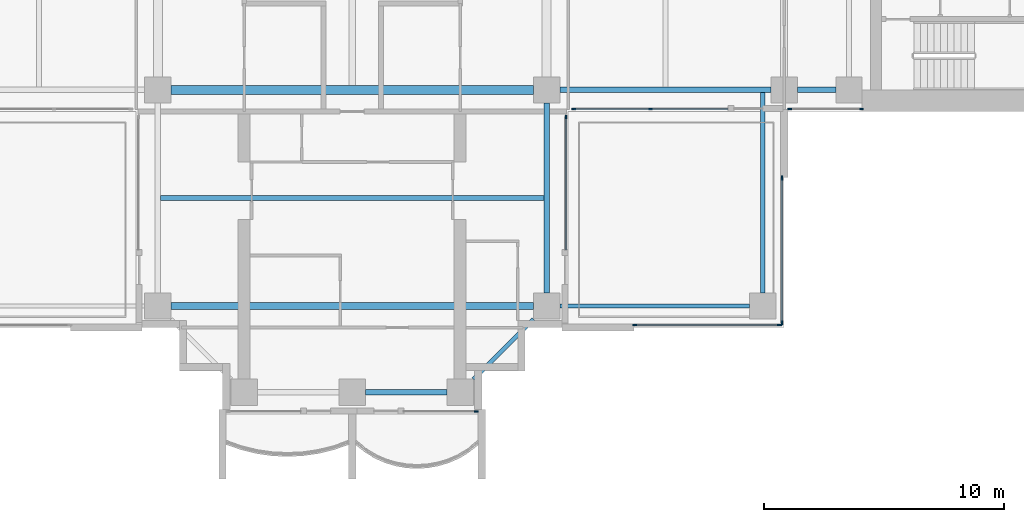
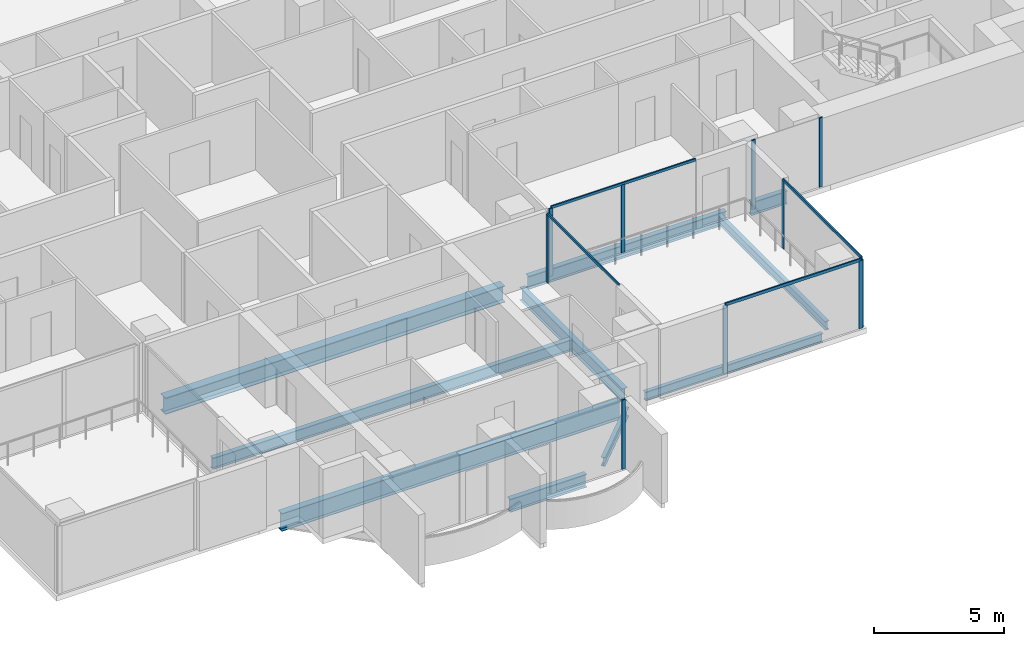
# One storey, part 3 of 18: 14 members, 10 beams, 6 elements without a shape of their own.
"""IFC4 building model written with IfcOpenShell, lengths in metres."""

from ifc_helpers import new_model, si_unit, direction, frame, origin, origin_2d, place, context, subcontext, project, spatial, rectangle, i_section, extrude, material, material_profile, profile_set, type_object, element, aggregate, save


model = new_model("IFC4")

# Units and contexts
model_context = context("Model", 3, precision=1e-05, world=origin(), true_north=direction((0.0, 1.0)))
body_context = subcontext(model_context, "Body", "Model", "MODEL_VIEW")
ifc_project = project(units=[si_unit("LENGTHUNIT", "METRE"), si_unit("AREAUNIT", "SQUARE_METRE"), si_unit("VOLUMEUNIT", "CUBIC_METRE"), si_unit("PLANEANGLEUNIT", "RADIAN"), si_unit("MASSUNIT", "GRAM", prefix="KILO")], contexts=[model_context])

# Site, building, storey
site_placement = place(None, origin())
site = spatial("IfcSite", under=ifc_project, at=site_placement, CompositionType="ELEMENT")
building_placement = place(site_placement, origin())
building = spatial("IfcBuilding", under=site, at=building_placement, Name="Perihelion Cross Residences", CompositionType="ELEMENT")
storey_placement = place(building_placement, frame((0.0, 0.0, 123.39990234375)))
storey = spatial("IfcBuildingStorey", under=building, at=storey_placement, Name="L29", CompositionType="ELEMENT", Elevation=123.39990234375)

# Curtain wall, member
ifc_material_1 = material(Name="Bronze anodised aluminium, tinted glazing", Category="aluminium")
curtain_wall_type_1 = type_object("IfcCurtainWallType", Name="CW1", PredefinedType="NOTDEFINED", material=ifc_material_1)
curtain_wall_1_placement = place(storey_placement, origin())
curtain_wall_1 = element("IfcCurtainWall", 1, at=curtain_wall_1_placement, inside=storey, type_object=curtain_wall_type_1, Name="Curtain wall CW1 L29 south tip south bay 2", PredefinedType="NOTDEFINED")
ifc_material_2 = material(Name="Bronze anodised aluminium", Category="aluminium")
ifc_material_profile_1 = material_profile(ifc_material_2, rectangle(XDim=0.06005859375, YDim=0.159912109375, at=origin_2d()), Name="CW1 mullion")
ifc_profile_set_1 = profile_set([ifc_material_profile_1], Name="Bronze anodised aluminium")
member_type_1 = type_object("IfcMemberType", Name="CW1 mullion", PredefinedType="MULLION", material=ifc_profile_set_1)
member_1_placement = place(storey_placement, frame((5.169921875, -21.5, 0.0), z_axis=(0.0, 0.0, 1.0), x_axis=(0.0, 1.0, 0.0)))
member_1 = element("IfcMember", 2, at=member_1_placement, type_object=member_type_1, Name="CW1 mullion 2", PredefinedType="MULLION", context=body_context, shape_type="SweptSolid", body=[
    extrude(rectangle(XDim=0.06005859375, YDim=0.159912109375, at=origin_2d()), origin(), (0.0, 0.0, 1.0), 3.25),
])
aggregate(curtain_wall_1, [member_1])

curtain_wall_2_placement = place(storey_placement, origin())
curtain_wall_2 = element("IfcCurtainWall", 3, at=curtain_wall_2_placement, inside=storey, type_object=curtain_wall_type_1, Name="Curtain wall CW1 L29 south side east bay 1", PredefinedType="NOTDEFINED")
member_2_placement = place(storey_placement, frame((8.89990234375, -9.22998046875, 0.0), z_axis=(0.0, 0.0, 1.0), x_axis=(-1.0, 0.0, 0.0)))
member_2 = element("IfcMember", 4, at=member_2_placement, type_object=member_type_1, Name="CW1 mullion 2", PredefinedType="MULLION", context=body_context, shape_type="SweptSolid", body=[
    extrude(rectangle(XDim=0.06005859375, YDim=0.159912109375, at=origin_2d()), origin(), (0.0, 0.0, 1.0), 3.190185546875),
])

# Curtain wall, members
curtain_wall_3_placement = place(storey_placement, origin())
curtain_wall_3 = element("IfcCurtainWall", 5, at=curtain_wall_3_placement, inside=storey, type_object=curtain_wall_type_1, Name="Curtain wall CW1 L29 east side south bay 1", PredefinedType="NOTDEFINED")
member_3_placement = place(storey_placement, frame((9.22998046875, -8.89990234375, 0.0), z_axis=(0.0, 0.0, 1.0), x_axis=(0.0, 1.0, 0.0)))
member_3 = element("IfcMember", 6, at=member_3_placement, type_object=member_type_1, Name="CW1 mullion 1", PredefinedType="MULLION", context=body_context, shape_type="SweptSolid", body=[
    extrude(rectangle(XDim=0.06005859375, YDim=0.159912109375, at=origin_2d()), origin(), (0.0, 0.0, 1.0), 3.190185546875),
])
member_4_placement = place(storey_placement, frame((12.425048828125, -8.89990234375, 0.0), z_axis=(0.0, 0.0, 1.0), x_axis=(0.0, 1.0, 0.0)))
member_4 = element("IfcMember", 7, at=member_4_placement, type_object=member_type_1, Name="CW1 mullion 2", PredefinedType="MULLION", context=body_context, shape_type="SweptSolid", body=[
    extrude(rectangle(XDim=0.06005859375, YDim=0.159912109375, at=origin_2d()), origin(), (0.0, 0.0, 1.0), 3.190185546875),
])

curtain_wall_4_placement = place(storey_placement, origin())
curtain_wall_4 = element("IfcCurtainWall", 8, at=curtain_wall_4_placement, inside=storey, type_object=curtain_wall_type_1, Name="Curtain wall CW1 L29 east side south bay 2", PredefinedType="NOTDEFINED")
member_5_placement = place(storey_placement, frame((18.22998046875, -8.89990234375, 0.0), z_axis=(0.0, 0.0, 1.0), x_axis=(0.0, 1.0, 0.0)))
member_5 = element("IfcMember", 9, at=member_5_placement, type_object=member_type_1, Name="CW1 mullion 1", PredefinedType="MULLION", context=body_context, shape_type="SweptSolid", body=[
    extrude(rectangle(XDim=0.06005859375, YDim=0.159912109375, at=origin_2d()), origin(), (0.0, 0.0, 1.0), 3.25),
])
member_6_placement = place(storey_placement, frame((21.219970703125, -8.89990234375, 0.0), z_axis=(0.0, 0.0, 1.0), x_axis=(0.0, 1.0, 0.0)))
member_6 = element("IfcMember", 10, at=member_6_placement, type_object=member_type_1, Name="CW1 mullion 2", PredefinedType="MULLION", context=body_context, shape_type="SweptSolid", body=[
    extrude(rectangle(XDim=0.06005859375, YDim=0.159912109375, at=origin_2d()), origin(), (0.0, 0.0, 1.0), 3.25),
])
aggregate(curtain_wall_4, [member_5, member_6])

# Member
ifc_material_3 = material(Name="Bronze anodised aluminium", Category="aluminium")
ifc_material_profile_2 = material_profile(ifc_material_3, rectangle(XDim=0.06005859375, YDim=0.1201171875, at=origin_2d()), Name="CW1 transom")
ifc_profile_set_2 = profile_set([ifc_material_profile_2], Name="Bronze anodised aluminium")
member_type_2 = type_object("IfcMemberType", Name="CW1 transom", PredefinedType="USERDEFINED", material=ifc_profile_set_2)
member_7_placement = place(storey_placement, frame((8.89990234375, -14.75, 3.22021484375), z_axis=(0.0, 1.0, 0.0), x_axis=(-1.0, 0.0, 0.0)))
member_7 = element("IfcMember", 11, at=member_7_placement, type_object=member_type_2, Name="CW1 head transom", ObjectType="TRANSOM", PredefinedType="USERDEFINED", context=body_context, shape_type="SweptSolid", body=[
    extrude(rectangle(XDim=0.06005859375, YDim=0.1201171875, at=origin_2d()), origin(), (0.0, 0.0, 1.0), 5.52001953125),
])

aggregate(curtain_wall_2, [member_2, member_7])

member_8_placement = place(storey_placement, frame((9.22998046875, -8.89990234375, 3.22021484375), z_axis=(1.0, 0.0, 0.0), x_axis=(0.0, 1.0, 0.0)))
member_8 = element("IfcMember", 12, at=member_8_placement, type_object=member_type_2, Name="CW1 head transom", ObjectType="TRANSOM", PredefinedType="USERDEFINED", context=body_context, shape_type="SweptSolid", body=[
    extrude(rectangle(XDim=0.06005859375, YDim=0.1201171875, at=origin_2d()), origin(), (0.0, 0.0, 1.0), 6.419921875),
])

aggregate(curtain_wall_3, [member_3, member_4, member_8])

# Curtain wall, members
ifc_material_4 = material(Name="Bronze anodised aluminium, tinted glazing", Category="aluminium")
curtain_wall_type_2 = type_object("IfcCurtainWallType", Name="CW4", PredefinedType="NOTDEFINED", material=ifc_material_4)
curtain_wall_5_placement = place(storey_placement, origin())
curtain_wall_5 = element("IfcCurtainWall", 13, at=curtain_wall_5_placement, inside=storey, type_object=curtain_wall_type_2, Name="Curtain wall CW4 L29 pocket south-east 1 1", PredefinedType="NOTDEFINED")
ifc_material_5 = material(Name="Bronze anodised aluminium", Category="aluminium")
ifc_material_profile_3 = material_profile(ifc_material_5, rectangle(XDim=0.06005859375, YDim=0.179931640625, at=origin_2d()), Name="CW4 mullion")
ifc_profile_set_3 = profile_set([ifc_material_profile_3], Name="Bronze anodised aluminium")
member_type_3 = type_object("IfcMemberType", Name="CW4 mullion", PredefinedType="MULLION", material=ifc_profile_set_3)
member_9_placement = place(storey_placement, frame((17.89990234375, -11.77001953125, 0.0), z_axis=(0.0, 0.0, 1.0), x_axis=(1.0, 0.0, 0.0)))
member_9 = element("IfcMember", 14, at=member_9_placement, type_object=member_type_3, Name="CW4 mullion 1", PredefinedType="MULLION", context=body_context, shape_type="SweptSolid", body=[
    extrude(rectangle(XDim=0.06005859375, YDim=0.179931640625, at=origin_2d()), origin(), (0.0, 0.0, 1.0), 3.190185546875),
])
member_10_placement = place(storey_placement, frame((17.89990234375, -17.800048828125, 0.0), z_axis=(0.0, 0.0, 1.0), x_axis=(1.0, 0.0, 0.0)))
member_10 = element("IfcMember", 15, at=member_10_placement, type_object=member_type_3, Name="CW4 mullion 2", PredefinedType="MULLION", context=body_context, shape_type="SweptSolid", body=[
    extrude(rectangle(XDim=0.06005859375, YDim=0.179931640625, at=origin_2d()), origin(), (0.0, 0.0, 1.0), 3.190185546875),
])

curtain_wall_6_placement = place(storey_placement, origin())
curtain_wall_6 = element("IfcCurtainWall", 16, at=curtain_wall_6_placement, inside=storey, type_object=curtain_wall_type_2, Name="Curtain wall CW4 L29 pocket south-east 1 2", PredefinedType="NOTDEFINED")
member_11_placement = place(storey_placement, frame((17.800048828125, -17.89990234375, 0.0), z_axis=(0.0, 0.0, 1.0), x_axis=(0.0, -1.0, 0.0)))
member_11 = element("IfcMember", 17, at=member_11_placement, type_object=member_type_3, Name="CW4 mullion 1", PredefinedType="MULLION", context=body_context, shape_type="SweptSolid", body=[
    extrude(rectangle(XDim=0.06005859375, YDim=0.179931640625, at=origin_2d()), origin(), (0.0, 0.0, 1.0), 3.190185546875),
])
member_12_placement = place(storey_placement, frame((11.77001953125, -17.89990234375, 0.0), z_axis=(0.0, 0.0, 1.0), x_axis=(0.0, -1.0, 0.0)))
member_12 = element("IfcMember", 18, at=member_12_placement, type_object=member_type_3, Name="CW4 mullion 2", PredefinedType="MULLION", context=body_context, shape_type="SweptSolid", body=[
    extrude(rectangle(XDim=0.06005859375, YDim=0.179931640625, at=origin_2d()), origin(), (0.0, 0.0, 1.0), 3.190185546875),
])

# Member
ifc_material_6 = material(Name="Bronze anodised aluminium", Category="aluminium")
ifc_material_profile_4 = material_profile(ifc_material_6, rectangle(XDim=0.06005859375, YDim=0.139892578125, at=origin_2d()), Name="CW4 transom")
ifc_profile_set_4 = profile_set([ifc_material_profile_4], Name="Bronze anodised aluminium")
member_type_4 = type_object("IfcMemberType", Name="CW4 transom", PredefinedType="USERDEFINED", material=ifc_profile_set_4)
member_13_placement = place(storey_placement, frame((17.89990234375, -11.77001953125, 3.22021484375), z_axis=(0.0, -1.0, 0.0), x_axis=(1.0, 0.0, 0.0)))
member_13 = element("IfcMember", 19, at=member_13_placement, type_object=member_type_4, Name="CW4 head transom", ObjectType="TRANSOM", PredefinedType="USERDEFINED", context=body_context, shape_type="SweptSolid", body=[
    extrude(rectangle(XDim=0.06005859375, YDim=0.139892578125, at=origin_2d()), origin(), (0.0, 0.0, 1.0), 6.030029296875),
])

aggregate(curtain_wall_5, [member_9, member_10, member_13])

member_14_placement = place(storey_placement, frame((17.800048828125, -17.89990234375, 3.22021484375), z_axis=(-1.0, 0.0, 0.0), x_axis=(0.0, -1.0, 0.0)))
member_14 = element("IfcMember", 20, at=member_14_placement, type_object=member_type_4, Name="CW4 head transom", ObjectType="TRANSOM", PredefinedType="USERDEFINED", context=body_context, shape_type="SweptSolid", body=[
    extrude(rectangle(XDim=0.06005859375, YDim=0.139892578125, at=origin_2d()), origin(), (0.0, 0.0, 1.0), 6.030029296875),
])

aggregate(curtain_wall_6, [member_11, member_12, member_14])

# Beams
ifc_material_7 = material(Name="Steel S355", Category="steel")
ifc_material_profile_5 = material_profile(ifc_material_7, i_section(OverallWidth=0.177978515625, OverallDepth=0.406005859375, WebThickness=0.0078125, FlangeThickness=0.0126953125, at=origin_2d()), Name="W410x60")
ifc_profile_set_5 = profile_set([ifc_material_profile_5], Name="Steel S355")
beam_type_1 = type_object("IfcBeamType", Name="Core edge beam W410x60", PredefinedType="BEAM", material=ifc_profile_set_5)
beam_1_placement = place(storey_placement, frame((17.10009765625, -8.214599609375, -0.452880859375), z_axis=(0.0, -1.0, 0.0), x_axis=(1.0, 0.0, 0.0)))
element("IfcBeam", 21, at=beam_1_placement, inside=storey, type_object=beam_type_1, Name="Core edge beam TB2 L29 corner no. 5", PredefinedType="BEAM", context=body_context, shape_type="SweptSolid", body=[
    extrude(i_section(OverallWidth=0.177978515625, OverallDepth=0.406005859375, WebThickness=0.0078125, FlangeThickness=0.0126953125, at=origin_2d()), origin(), (0.0, 0.0, 1.0), 8.33544921875),
])
beam_2_placement = place(storey_placement, frame((8.64990234375, -17.10009765625, -0.452880859375), z_axis=(1.0, 0.0, 0.0), x_axis=(0.0, 1.0, 0.0)))
element("IfcBeam", 22, at=beam_2_placement, inside=storey, type_object=beam_type_1, Name="Core edge beam TB2 L29 corner no. 6", PredefinedType="BEAM", context=body_context, shape_type="SweptSolid", body=[
    extrude(i_section(OverallWidth=0.177978515625, OverallDepth=0.406005859375, WebThickness=0.0078125, FlangeThickness=0.0126953125, at=origin_2d()), origin(), (0.0, 0.0, 1.0), 7.900146484375),
])
ifc_material_8 = material(Name="Steel S355", Category="steel")
ifc_material_profile_6 = material_profile(ifc_material_8, i_section(OverallWidth=0.22900390625, OverallDepth=0.612060546875, WebThickness=0.011962890625, FlangeThickness=0.01953125, at=origin_2d()), Name="W610x125")
ifc_profile_set_6 = profile_set([ifc_material_profile_6], Name="Steel S355")
beam_type_2 = type_object("IfcBeamType", Name="Edge beam W610x125", PredefinedType="SPANDREL", material=ifc_profile_set_6)
beam_3_placement = place(storey_placement, frame((0.550048828125, -20.699951171875, -0.555908203125), z_axis=(1.0, 0.0, 0.0), x_axis=(0.0, 1.0, 0.0)))
element("IfcBeam", 23, at=beam_3_placement, inside=storey, type_object=beam_type_2, Name="Edge beam SB3 L29 no. 9", PredefinedType="SPANDREL", context=body_context, shape_type="SweptSolid", body=[
    extrude(i_section(OverallWidth=0.22900390625, OverallDepth=0.612060546875, WebThickness=0.011962890625, FlangeThickness=0.01953125, at=origin_2d()), origin(), (0.0, 0.0, 1.0), 3.39990234375),
])
beam_4_placement = place(storey_placement, frame((8.10009765625, -16.550048828125, -0.555908203125), z_axis=(0.0, 1.0, 0.0), x_axis=(-1.0, 0.0, 0.0)))
element("IfcBeam", 24, at=beam_4_placement, inside=storey, type_object=beam_type_2, Name="Edge beam SB3 L29 no. 15", PredefinedType="SPANDREL", context=body_context, shape_type="SweptSolid", body=[
    extrude(i_section(OverallWidth=0.22900390625, OverallDepth=0.612060546875, WebThickness=0.011962890625, FlangeThickness=0.01953125, at=origin_2d()), origin(), (0.0, 0.0, 1.0), 7.900146484375),
])
beam_5_placement = place(storey_placement, frame((8.64990234375, -8.10009765625, -0.555908203125), z_axis=(1.0, 0.0, 0.0), x_axis=(0.0, 1.0, 0.0)))
element("IfcBeam", 25, at=beam_5_placement, inside=storey, type_object=beam_type_2, Name="Edge beam SB3 L29 no. 16", PredefinedType="SPANDREL", context=body_context, shape_type="SweptSolid", body=[
    extrude(i_section(OverallWidth=0.22900390625, OverallDepth=0.612060546875, WebThickness=0.011962890625, FlangeThickness=0.01953125, at=origin_2d()), origin(), (0.0, 0.0, 1.0), 8.800048828125),
])
beam_6_placement = place(storey_placement, frame((18.550048828125, -8.10009765625, -0.555908203125), z_axis=(1.0, 0.0, 0.0), x_axis=(0.0, 1.0, 0.0)))
element("IfcBeam", 26, at=beam_6_placement, inside=storey, type_object=beam_type_2, Name="Edge beam SB3 L29 no. 11", PredefinedType="SPANDREL", context=body_context, shape_type="SweptSolid", body=[
    extrude(i_section(OverallWidth=0.22900390625, OverallDepth=0.612060546875, WebThickness=0.011962890625, FlangeThickness=0.01953125, at=origin_2d()), origin(), (0.0, 0.0, 1.0), 1.599853515625),
])
ifc_material_9 = material(Name="Steel S355", Category="steel")
ifc_material_profile_7 = material_profile(ifc_material_9, i_section(OverallWidth=0.2919921875, OverallDepth=0.8359375, WebThickness=0.013916015625, FlangeThickness=0.018798828125, at=origin_2d()), Name="W840x176")
ifc_profile_set_7 = profile_set([ifc_material_profile_7], Name="Steel S355")
beam_type_3 = type_object("IfcBeamType", Name="Floor girder W840x176", PredefinedType="BEAM", material=ifc_profile_set_7)
beam_7_placement = place(storey_placement, frame((-7.550048828125, -17.10009765625, -0.66796875), z_axis=(1.0, 0.0, 0.0), x_axis=(0.0, 1.0, 0.0)))
element("IfcBeam", 27, at=beam_7_placement, inside=storey, type_object=beam_type_3, Name="Girder G3 L29 no. 3", PredefinedType="BEAM", context=body_context, shape_type="SweptSolid", body=[
    extrude(i_section(OverallWidth=0.2919921875, OverallDepth=0.8359375, WebThickness=0.013916015625, FlangeThickness=0.018798828125, at=origin_2d()), origin(), (0.0, 0.0, 1.0), 15.10009765625),
])
ifc_material_10 = material(Name="Steel S355", Category="steel")
ifc_material_profile_8 = material_profile(ifc_material_10, i_section(OverallWidth=0.208984375, OverallDepth=0.532958984375, WebThickness=0.01025390625, FlangeThickness=0.015625, at=origin_2d()), Name="W530x92")
ifc_profile_set_8 = profile_set([ifc_material_profile_8], Name="Steel S355")
beam_type_4 = type_object("IfcBeamType", Name="Floor joist W530x92", PredefinedType="JOIST", material=ifc_profile_set_8)
beam_8_placement = place(storey_placement, frame((-7.985595703125, -12.60009765625, -0.516357421875), z_axis=(1.0, 0.0, 0.0), x_axis=(0.0, 1.0, 0.0)))
element("IfcBeam", 28, at=beam_8_placement, inside=storey, type_object=beam_type_4, Name="Joist J4 L29 no. 3", PredefinedType="JOIST", context=body_context, shape_type="SweptSolid", body=[
    extrude(i_section(OverallWidth=0.208984375, OverallDepth=0.532958984375, WebThickness=0.01025390625, FlangeThickness=0.015625, at=origin_2d()), origin(), (0.0, 0.0, 1.0), 15.97119140625),
])
ifc_material_11 = material(Name="Steel S355", Category="steel")
ifc_material_profile_9 = material_profile(ifc_material_11, i_section(OverallWidth=0.381103515625, OverallDepth=0.77197265625, WebThickness=0.0166015625, FlangeThickness=0.027099609375, at=origin_2d()), Name="W760x257")
ifc_profile_set_9 = profile_set([ifc_material_profile_9], Name="Steel S355")
beam_type_5 = type_object("IfcBeamType", Name="Hub ring girder W760x257", PredefinedType="BEAM", material=ifc_profile_set_9)
beam_9_placement = place(storey_placement, frame((-7.550048828125, -8.10009765625, -0.635986328125), z_axis=(1.0, 0.0, 0.0), x_axis=(0.0, 1.0, 0.0)))
element("IfcBeam", 29, at=beam_9_placement, inside=storey, type_object=beam_type_5, Name="Hub ring girder RG3 L29 no. 1", PredefinedType="BEAM", context=body_context, shape_type="SweptSolid", body=[
    extrude(i_section(OverallWidth=0.381103515625, OverallDepth=0.77197265625, WebThickness=0.0166015625, FlangeThickness=0.027099609375, at=origin_2d()), origin(), (0.0, 0.0, 1.0), 15.10009765625),
])
ifc_material_12 = material(Name="Steel S355", Category="steel")
ifc_material_profile_10 = material_profile(ifc_material_12, i_section(OverallWidth=0.180908203125, OverallDepth=0.4169921875, WebThickness=0.010986328125, FlangeThickness=0.018310546875, at=origin_2d()), Name="W410x85")
ifc_profile_set_10 = profile_set([ifc_material_profile_10], Name="Steel S355")
beam_type_6 = type_object("IfcBeamType", Name="Serration edge beam W410x85", PredefinedType="BEAM", material=ifc_profile_set_10)
beam_10_placement = place(storey_placement, frame((5.050048828125, -20.14990234375, -0.45849609375), z_axis=(0.707106781187, 0.707106781187, 0.0), x_axis=(-0.707106781187, 0.707106781187, 0.0)))
element("IfcBeam", 30, at=beam_10_placement, inside=storey, type_object=beam_type_6, Name="Serration edge beam EB3 L29 no. 3", PredefinedType="BEAM", context=body_context, shape_type="SweptSolid", body=[
    extrude(i_section(OverallWidth=0.180908203125, OverallDepth=0.4169921875, WebThickness=0.010986328125, FlangeThickness=0.018310546875, at=origin_2d()), origin(), (0.0, 0.0, 1.0), 3.53564453125),
])

save(model, "model.ifc")
